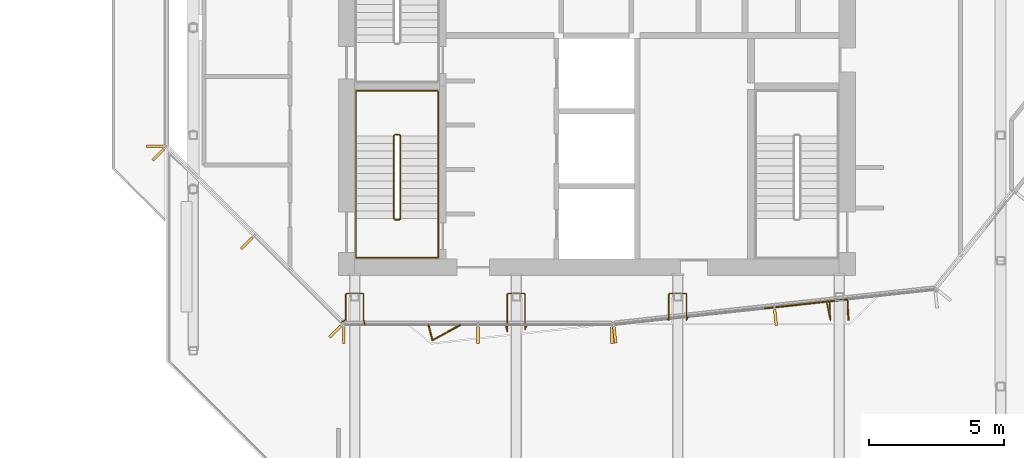
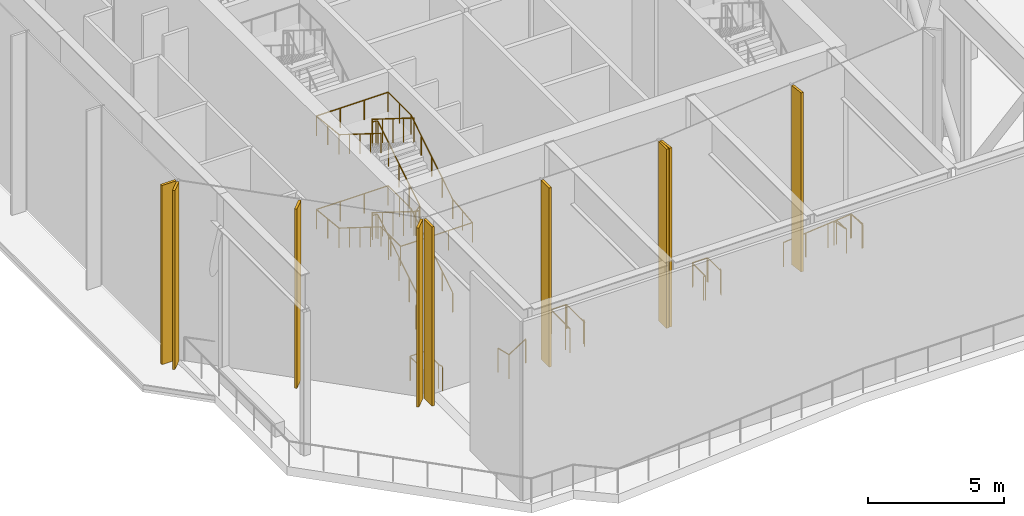
# One storey, part 16 of 22: 9 coverings, 9 railings.
"""IFC4 building model written with IfcOpenShell, lengths in metres."""

from ifc_helpers import new_model, si_unit, direction, frame, origin, origin_2d, place, context, subcontext, project, spatial, rectangle, circle, extrude, material, layer, layer_set, type_object, element, save


model = new_model("IFC4")

# Units and contexts
model_context = context("Model", 3, precision=1e-05, world=origin(), true_north=direction((0.0, 1.0)))
body_context = subcontext(model_context, "Body", "Model", "MODEL_VIEW")
ifc_project = project(units=[si_unit("LENGTHUNIT", "METRE"), si_unit("AREAUNIT", "SQUARE_METRE"), si_unit("VOLUMEUNIT", "CUBIC_METRE"), si_unit("PLANEANGLEUNIT", "RADIAN"), si_unit("MASSUNIT", "GRAM", prefix="KILO")], contexts=[model_context])

# Site, building, storey
site_placement = place(None, origin())
site = spatial("IfcSite", under=ifc_project, at=site_placement, CompositionType="ELEMENT")
building_placement = place(site_placement, origin())
building = spatial("IfcBuilding", under=site, at=building_placement, Name="Welwitschia Terrace Campus", CompositionType="ELEMENT")
storey_placement = place(building_placement, frame((0.0, 0.0, 197.0)))
storey = spatial("IfcBuildingStorey", under=building, at=storey_placement, Name="L44", CompositionType="ELEMENT", Elevation=197.0)

# Coverings
ifc_material_1 = material(Name="Bronze anodised aluminium", Category="aluminium")
ifc_layer = layer(ifc_material_1, 0.10009765625)
ifc_layer_set = layer_set([ifc_layer], Name="Bronze anodised aluminium")
covering_type = type_object("IfcCoveringType", Name="Bronze fin 100x600", PredefinedType="USERDEFINED", material=ifc_layer_set)
for number, where, z_axis, x_axis, name in (
    (1, (-1.429931640625, 9.59521484375, 0.0), (0.0, 0.0, 1.0), (0.0, -1.0, 0.0), "Fin L44.9.4"),
    (2, (-1.297607421875, 9.275146484375, 0.0), (0.0, 0.0, 1.0), (0.707106781187, -0.707106781187, 0.0), "Fin L44.10.0"),
    (3, (1.98876953125, 5.98876953125, 0.0), (0.0, 0.0, 1.0), (0.707106781187, -0.707106781187, 0.0), "Fin L44.10.1"),
    (4, (5.275146484375, 2.702392578125, 0.0), (0.0, 0.0, 1.0), (0.707106781187, -0.707106781187, 0.0), "Fin L44.10.2"),
    (5, (5.59521484375, 2.570068359375, 0.0), (0.0, 0.0, 1.0), (1.0, 0.0, 0.0), "Fin L44.11.0"),
    (6, (10.578857421875, 2.570068359375, 0.0), (0.0, 0.0, 1.0), (1.0, 0.0, 0.0), "Fin L44.11.1"),
    (7, (15.5625, 2.570068359375, 0.0), (0.0, 0.0, 1.0), (1.0, 0.0, 0.0), "Fin L44.11.2"),
    (8, (15.663818359375, 2.575439453125, 0.0), (0.0, 0.0, 1.0), (0.994056338222, 0.108866874852, 0.0), "Fin L44.12.0"),
    (9, (21.634521484375, 3.2294921875, 0.0), (0.0, 0.0, 1.0), (0.994056338222, 0.108866874852, 0.0), "Fin L44.12.1"),
):
    element("IfcCovering", number, at=place(storey_placement, frame(where, z_axis=z_axis, x_axis=x_axis)), inside=storey, type_object=covering_type, Name=name, ObjectType="FIN", PredefinedType="USERDEFINED", context=body_context, shape_type="SweptSolid", body=[
        extrude(rectangle(XDim=0.10009765625, YDim=0.60009765625, at=origin_2d()), origin(), (0.0, 0.0, 1.0), 8.050048828125),
    ])

# Railings
ifc_material_2 = material(Name="Stainless steel grade 316", Category="steel")
railing_type_1 = type_object("IfcRailingType", Name="Guard 1100", PredefinedType="GUARDRAIL", material=ifc_material_2)
railing_1_placement = place(storey_placement, frame((9.922119140625, 2.949951171875, 0.0)))
element("IfcRailing", 10, at=railing_1_placement, inside=storey, type_object=railing_type_1, Name="Guard floor edge L44.0", PredefinedType="GUARDRAIL", context=body_context, shape_type="SweptSolid", body=[
    extrude(circle(Radius=0.02392578125, at=origin_2d()), frame((0.0, 0.0, 1.076171875), z_axis=(-0.878299187972, -0.47811142677, 0.0), x_axis=(0.47811142677, -0.878299187972, 0.0)), (0.0, 0.0, 1.0), 1.177978515625),
    extrude(circle(Radius=0.02392578125, at=origin_2d()), frame((-1.03466796875, -0.563232421875, 1.076171875), z_axis=(-0.243425833788, 0.9699195139, 0.0), x_axis=(-0.9699195139, -0.243425833788, 0.0)), (0.0, 0.0, 1.0), 0.580810546875),
    extrude(circle(Radius=0.02099609375, at=origin_2d()), origin(), (0.0, 0.0, 1.0), 1.052001953125),
    extrude(circle(Radius=0.02099609375, at=origin_2d()), frame((-1.03466796875, -0.563232421875, 0.0)), (0.0, 0.0, 1.0), 1.052001953125),
    extrude(circle(Radius=0.02099609375, at=origin_2d()), frame((-1.176025390625, 0.0, 0.0)), (0.0, 0.0, 1.0), 1.052001953125),
])
railing_2_placement = place(storey_placement, frame((24.27880859375, 3.9013671875, 0.0)))
element("IfcRailing", 11, at=railing_2_placement, inside=storey, type_object=railing_type_1, Name="Guard floor edge L44.2", PredefinedType="GUARDRAIL", context=body_context, shape_type="SweptSolid", body=[
    extrude(circle(Radius=0.02392578125, at=origin_2d()), frame((0.0, 0.0, 1.076171875), z_axis=(-0.994055282806, -0.108876511359, 0.0), x_axis=(0.108876511359, -0.994055282806, 0.0)), (0.0, 0.0, 1.0), 3.067626953125),
    extrude(circle(Radius=0.02099609375, at=origin_2d()), origin(), (0.0, 0.0, 1.0), 1.052001953125),
    extrude(circle(Radius=0.02099609375, at=origin_2d()), frame((-1.016357421875, -0.111328125, 0.0)), (0.0, 0.0, 1.0), 1.052001953125),
    extrude(circle(Radius=0.02099609375, at=origin_2d()), frame((-2.032958984375, -0.22265625, 0.0)), (0.0, 0.0, 1.0), 1.052001953125),
    extrude(circle(Radius=0.02099609375, at=origin_2d()), frame((-3.04931640625, -0.333984375, 0.0)), (0.0, 0.0, 1.0), 1.052001953125),
])
railing_3_placement = place(storey_placement, frame((23.642822265625, 3.83154296875, 0.0)))
element("IfcRailing", 12, at=railing_3_placement, inside=storey, type_object=railing_type_1, Name="Guard floor edge L44.18", PredefinedType="GUARDRAIL", context=body_context, shape_type="SweptSolid", body=[
    extrude(circle(Radius=0.02392578125, at=origin_2d()), frame((0.0, 0.0, 1.076171875), z_axis=(0.038877001193, -0.999244003624, 0.0), x_axis=(0.999244003624, 0.038877001193, 0.0)), (0.0, 0.0, 1.0), 0.697021484375),
    extrude(circle(Radius=0.02392578125, at=origin_2d()), frame((0.027099609375, -0.696533203125, 1.076171875), z_axis=(-0.193424830321, 0.981115097741, 0.0), x_axis=(-0.981115097741, -0.193424830321, 0.0)), (0.0, 0.0, 1.0), 0.697998046875),
    extrude(circle(Radius=0.02099609375, at=origin_2d()), origin(), (0.0, 0.0, 1.0), 1.052001953125),
    extrude(circle(Radius=0.02099609375, at=origin_2d()), frame((0.027099609375, -0.696533203125, 0.0)), (0.0, 0.0, 1.0), 1.052001953125),
    extrude(circle(Radius=0.02099609375, at=origin_2d()), frame((-0.10791015625, -0.01171875, 0.0)), (0.0, 0.0, 1.0), 1.052001953125),
])
railing_4_placement = place(storey_placement, frame((24.30908203125, 3.904541015625, 0.0)))
element("IfcRailing", 13, at=railing_4_placement, inside=storey, type_object=railing_type_1, Name="Guard floor edge L44.19", PredefinedType="GUARDRAIL", context=body_context, shape_type="SweptSolid", body=[
    extrude(circle(Radius=0.02392578125, at=origin_2d()), frame((0.0, 0.0, 1.076171875), z_axis=(0.063955095501, -0.997952777319, 0.0), x_axis=(0.997952777319, 0.063955095501, 0.0)), (0.0, 0.0, 1.0), 0.77099609375),
    extrude(circle(Radius=0.02392578125, at=origin_2d()), frame((0.04931640625, -0.76953125, 1.076171875), z_axis=(-1.0, 0.0, 0.0), x_axis=(0.0, -1.0, 0.0)), (0.0, 0.0, 1.0), 0.0283203125),
    extrude(circle(Radius=0.02392578125, at=origin_2d()), frame((0.02099609375, -0.76953125, 1.076171875), z_axis=(-0.035227407041, 0.999379322276, 0.0), x_axis=(-0.999379322276, -0.035227407041, 0.0)), (0.0, 0.0, 1.0), 0.769287109375),
    extrude(circle(Radius=0.02099609375, at=origin_2d()), origin(), (0.0, 0.0, 1.0), 1.052001953125),
    extrude(circle(Radius=0.02099609375, at=origin_2d()), frame((0.04931640625, -0.76953125, 0.0)), (0.0, 0.0, 1.0), 1.052001953125),
    extrude(circle(Radius=0.02099609375, at=origin_2d()), frame((0.02099609375, -0.76953125, 0.0)), (0.0, 0.0, 1.0), 1.052001953125),
    extrude(circle(Radius=0.02099609375, at=origin_2d()), frame((-0.006103515625, -0.000732421875, 0.0)), (0.0, 0.0, 1.0), 1.052001953125),
])
railing_5_placement = place(storey_placement, frame((18.376953125, 3.2548828125, 0.0)))
element("IfcRailing", 14, at=railing_5_placement, inside=storey, type_object=railing_type_1, Name="Guard floor edge L44.28", PredefinedType="GUARDRAIL", context=body_context, shape_type="SweptSolid", body=[
    extrude(circle(Radius=0.02392578125, at=origin_2d()), frame((0.0, 0.0, 1.076171875), z_axis=(-0.364184783324, -0.931326711522, 0.0), x_axis=(0.931326711522, -0.364184783324, 0.0)), (0.0, 0.0, 1.0), 0.128662109375),
    extrude(circle(Radius=0.02392578125, at=origin_2d()), frame((-0.046875, -0.119873046875, 1.076171875), z_axis=(0.0, 1.0, 0.0), x_axis=(-1.0, 0.0, 0.0)), (0.0, 0.0, 1.0), 0.957275390625),
    extrude(circle(Radius=0.02392578125, at=origin_2d()), frame((-0.046875, 0.83740234375, 1.076171875), z_axis=(-0.707106781187, 0.707106781187, 0.0), x_axis=(-0.707106781187, -0.707106781187, 0.0)), (0.0, 0.0, 1.0), 0.039306640625),
    extrude(circle(Radius=0.02392578125, at=origin_2d()), frame((-0.07470703125, 0.865234375, 1.076171875), z_axis=(-1.0, 0.0, 0.0), x_axis=(0.0, -1.0, 0.0)), (0.0, 0.0, 1.0), 0.6044921875),
    extrude(circle(Radius=0.02392578125, at=origin_2d()), frame((-0.67919921875, 0.865234375, 1.076171875), z_axis=(-0.707106781187, -0.707106781187, 0.0), x_axis=(0.707106781187, -0.707106781187, 0.0)), (0.0, 0.0, 1.0), 0.039306640625),
    extrude(circle(Radius=0.02392578125, at=origin_2d()), frame((-0.70703125, 0.83740234375, 1.076171875), z_axis=(0.0, -1.0, 0.0), x_axis=(1.0, 0.0, 0.0)), (0.0, 0.0, 1.0), 0.957275390625),
    extrude(circle(Radius=0.02392578125, at=origin_2d()), frame((-0.70703125, -0.119873046875, 1.076171875), z_axis=(-0.874157276122, 0.485642931179, 0.0), x_axis=(-0.485642931179, -0.874157276122, 0.0)), (0.0, 0.0, 1.0), 0.072998046875),
    extrude(circle(Radius=0.02099609375, at=origin_2d()), origin(), (0.0, 0.0, 1.0), 1.052001953125),
    extrude(circle(Radius=0.02099609375, at=origin_2d()), frame((-0.046875, -0.119873046875, 0.0)), (0.0, 0.0, 1.0), 1.052001953125),
    extrude(circle(Radius=0.02099609375, at=origin_2d()), frame((-0.046875, 0.83740234375, 0.0)), (0.0, 0.0, 1.0), 1.052001953125),
    extrude(circle(Radius=0.02099609375, at=origin_2d()), frame((-0.07470703125, 0.865234375, 0.0)), (0.0, 0.0, 1.0), 1.052001953125),
    extrude(circle(Radius=0.02099609375, at=origin_2d()), frame((-0.67919921875, 0.865234375, 0.0)), (0.0, 0.0, 1.0), 1.052001953125),
    extrude(circle(Radius=0.02099609375, at=origin_2d()), frame((-0.70703125, 0.83740234375, 0.0)), (0.0, 0.0, 1.0), 1.052001953125),
    extrude(circle(Radius=0.02099609375, at=origin_2d()), frame((-0.70703125, -0.119873046875, 0.0)), (0.0, 0.0, 1.0), 1.052001953125),
    extrude(circle(Radius=0.02099609375, at=origin_2d()), frame((-0.770751953125, -0.08447265625, 0.0)), (0.0, 0.0, 1.0), 1.052001953125),
])
railing_6_placement = place(storey_placement, frame((12.389892578125, 2.949951171875, 0.0)))
element("IfcRailing", 15, at=railing_6_placement, inside=storey, type_object=railing_type_1, Name="Guard floor edge L44.31", PredefinedType="GUARDRAIL", context=body_context, shape_type="SweptSolid", body=[
    extrude(circle(Radius=0.02392578125, at=origin_2d()), frame((0.0, 0.0, 1.076171875), z_axis=(-0.32993049958, -0.944005225328, 0.0), x_axis=(0.944005225328, -0.32993049958, 0.0)), (0.0, 0.0, 1.0), 0.181396484375),
    extrude(circle(Radius=0.02392578125, at=origin_2d()), frame((-0.059814453125, -0.171142578125, 1.076171875), z_axis=(0.0, 1.0, 0.0), x_axis=(-1.0, 0.0, 0.0)), (0.0, 0.0, 1.0), 1.3134765625),
    extrude(circle(Radius=0.02392578125, at=origin_2d()), frame((-0.059814453125, 1.142333984375, 1.076171875), z_axis=(-0.707106781187, 0.707106781187, 0.0), x_axis=(-0.707106781187, -0.707106781187, 0.0)), (0.0, 0.0, 1.0), 0.039306640625),
    extrude(circle(Radius=0.02392578125, at=origin_2d()), frame((-0.087646484375, 1.170166015625, 1.076171875), z_axis=(-1.0, 0.0, 0.0), x_axis=(0.0, -1.0, 0.0)), (0.0, 0.0, 1.0), 0.6044921875),
    extrude(circle(Radius=0.02392578125, at=origin_2d()), frame((-0.692138671875, 1.170166015625, 1.076171875), z_axis=(-0.707106781187, -0.707106781187, 0.0), x_axis=(0.707106781187, -0.707106781187, 0.0)), (0.0, 0.0, 1.0), 0.039306640625),
    extrude(circle(Radius=0.02392578125, at=origin_2d()), frame((-0.719970703125, 1.142333984375, 1.076171875), z_axis=(0.0, -1.0, 0.0), x_axis=(1.0, 0.0, 0.0)), (0.0, 0.0, 1.0), 1.3857421875),
    extrude(circle(Radius=0.02392578125, at=origin_2d()), frame((-0.719970703125, -0.243408203125, 1.076171875), z_axis=(-0.23863754596, 0.971108707436, 0.0), x_axis=(-0.971108707436, -0.23863754596, 0.0)), (0.0, 0.0, 1.0), 0.250732421875),
    extrude(circle(Radius=0.02099609375, at=origin_2d()), origin(), (0.0, 0.0, 1.0), 1.052001953125),
    extrude(circle(Radius=0.02099609375, at=origin_2d()), frame((-0.059814453125, -0.171142578125, 0.0)), (0.0, 0.0, 1.0), 1.052001953125),
    extrude(circle(Radius=0.02099609375, at=origin_2d()), frame((-0.059814453125, 1.142333984375, 0.0)), (0.0, 0.0, 1.0), 1.052001953125),
    extrude(circle(Radius=0.02099609375, at=origin_2d()), frame((-0.087646484375, 1.170166015625, 0.0)), (0.0, 0.0, 1.0), 1.052001953125),
    extrude(circle(Radius=0.02099609375, at=origin_2d()), frame((-0.692138671875, 1.170166015625, 0.0)), (0.0, 0.0, 1.0), 1.052001953125),
    extrude(circle(Radius=0.02099609375, at=origin_2d()), frame((-0.719970703125, 1.142333984375, 0.0)), (0.0, 0.0, 1.0), 1.052001953125),
    extrude(circle(Radius=0.02099609375, at=origin_2d()), frame((-0.719970703125, -0.243408203125, 0.0)), (0.0, 0.0, 1.0), 1.052001953125),
    extrude(circle(Radius=0.02099609375, at=origin_2d()), frame((-0.77978515625, 0.0, 0.0)), (0.0, 0.0, 1.0), 1.052001953125),
])
railing_7_placement = place(storey_placement, frame((6.389892578125, 2.949951171875, 0.0)))
element("IfcRailing", 16, at=railing_7_placement, inside=storey, type_object=railing_type_1, Name="Guard floor edge L44.40", PredefinedType="GUARDRAIL", context=body_context, shape_type="SweptSolid", body=[
    extrude(circle(Radius=0.02392578125, at=origin_2d()), frame((0.0, 0.0, 1.076171875), z_axis=(-0.307552891524, 0.951530986839, 0.0), x_axis=(-0.951530986839, -0.307552891524, 0.0)), (0.0, 0.0, 1.0), 0.194580078125),
    extrude(circle(Radius=0.02392578125, at=origin_2d()), frame((-0.059814453125, 0.18505859375, 1.076171875), z_axis=(0.0, 1.0, 0.0), x_axis=(-1.0, 0.0, 0.0)), (0.0, 0.0, 1.0), 0.957275390625),
    extrude(circle(Radius=0.02392578125, at=origin_2d()), frame((-0.059814453125, 1.142333984375, 1.076171875), z_axis=(-0.707106781187, 0.707106781187, 0.0), x_axis=(-0.707106781187, -0.707106781187, 0.0)), (0.0, 0.0, 1.0), 0.039306640625),
    extrude(circle(Radius=0.02392578125, at=origin_2d()), frame((-0.087646484375, 1.170166015625, 1.076171875), z_axis=(-1.0, 0.0, 0.0), x_axis=(0.0, -1.0, 0.0)), (0.0, 0.0, 1.0), 0.6044921875),
    extrude(circle(Radius=0.02392578125, at=origin_2d()), frame((-0.692138671875, 1.170166015625, 1.076171875), z_axis=(-0.707106781187, -0.707106781187, 0.0), x_axis=(0.707106781187, -0.707106781187, 0.0)), (0.0, 0.0, 1.0), 0.039306640625),
    extrude(circle(Radius=0.02392578125, at=origin_2d()), frame((-0.719970703125, 1.142333984375, 1.076171875), z_axis=(0.0, -1.0, 0.0), x_axis=(1.0, 0.0, 0.0)), (0.0, 0.0, 1.0), 0.957275390625),
    extrude(circle(Radius=0.02392578125, at=origin_2d()), frame((-0.719970703125, 0.18505859375, 1.076171875), z_axis=(-1.0, 0.0, 0.0), x_axis=(0.0, -1.0, 0.0)), (0.0, 0.0, 1.0), 0.0283203125),
    extrude(circle(Radius=0.02392578125, at=origin_2d()), frame((-0.748291015625, 0.18505859375, 1.076171875), z_axis=(-0.853503838873, -0.521086554259, 0.0), x_axis=(0.521086554259, -0.853503838873, 0.0)), (0.0, 0.0, 1.0), 0.190185546875),
    extrude(circle(Radius=0.02099609375, at=origin_2d()), origin(), (0.0, 0.0, 1.0), 1.052001953125),
    extrude(circle(Radius=0.02099609375, at=origin_2d()), frame((-0.059814453125, 0.18505859375, 0.0)), (0.0, 0.0, 1.0), 1.052001953125),
    extrude(circle(Radius=0.02099609375, at=origin_2d()), frame((-0.059814453125, 1.142333984375, 0.0)), (0.0, 0.0, 1.0), 1.052001953125),
    extrude(circle(Radius=0.02099609375, at=origin_2d()), frame((-0.087646484375, 1.170166015625, 0.0)), (0.0, 0.0, 1.0), 1.052001953125),
    extrude(circle(Radius=0.02099609375, at=origin_2d()), frame((-0.692138671875, 1.170166015625, 0.0)), (0.0, 0.0, 1.0), 1.052001953125),
    extrude(circle(Radius=0.02099609375, at=origin_2d()), frame((-0.719970703125, 1.142333984375, 0.0)), (0.0, 0.0, 1.0), 1.052001953125),
    extrude(circle(Radius=0.02099609375, at=origin_2d()), frame((-0.719970703125, 0.18505859375, 0.0)), (0.0, 0.0, 1.0), 1.052001953125),
    extrude(circle(Radius=0.02099609375, at=origin_2d()), frame((-0.748291015625, 0.18505859375, 0.0)), (0.0, 0.0, 1.0), 1.052001953125),
    extrude(circle(Radius=0.02099609375, at=origin_2d()), frame((-0.91064453125, 0.0859375, 0.0)), (0.0, 0.0, 1.0), 1.052001953125),
])
ifc_material_3 = material(Name="Steel S355", Category="steel")
railing_type_2 = type_object("IfcRailingType", Name="Stair guard 1100", PredefinedType="GUARDRAIL", material=ifc_material_3)
railing_8_placement = place(storey_placement, frame((7.5, 6.85009765625, 0.0)))
element("IfcRailing", 17, at=railing_8_placement, inside=storey, type_object=railing_type_2, Name="L44 S1 stair guard", PredefinedType="GUARDRAIL", context=body_context, shape_type="SweptSolid", body=[
    extrude(circle(Radius=0.02392578125, at=origin_2d()), frame((0.0, 0.0, 1.076171875), z_axis=(1.0, 0.0, 0.0), x_axis=(0.0, 1.0, 0.0)), (0.0, 0.0, 1.0), 0.14990234375),
    extrude(circle(Radius=0.02392578125, at=origin_2d()), frame((0.14990234375, 0.0, 1.076171875), z_axis=(0.265155923931, 0.263862480399, 0.927399011991), x_axis=(-0.705375805398, 0.708833529934, 0.0)), (0.0, 0.0, 1.0), 0.188720703125),
    extrude(circle(Radius=0.02392578125, at=origin_2d()), frame((0.199951171875, 0.0498046875, 1.2509765625), z_axis=(0.0, 0.847998304005, 0.529998940003), x_axis=(-1.0, 0.0, 0.0)), (0.0, 0.0, 1.0), 3.632080078125),
    extrude(circle(Radius=0.02392578125, at=origin_2d()), frame((0.199951171875, 3.1298828125, 3.17626953125), z_axis=(-0.707106781187, 0.707106781187, 0.0), x_axis=(-0.707106781187, -0.707106781187, 0.0)), (0.0, 0.0, 1.0), 0.07080078125),
    extrude(circle(Radius=0.02392578125, at=origin_2d()), frame((0.14990234375, 3.179931640625, 3.17626953125), z_axis=(-1.0, 0.0, 0.0), x_axis=(0.0, -1.0, 0.0)), (0.0, 0.0, 1.0), 0.14990234375),
    extrude(circle(Radius=0.02392578125, at=origin_2d()), frame((0.0, 3.179931640625, 3.17626953125), z_axis=(-0.265383341853, -0.265383341853, 0.926899867156), x_axis=(0.707106781187, -0.707106781187, 0.0)), (0.0, 0.0, 1.0), 0.1884765625),
    extrude(circle(Radius=0.02392578125, at=origin_2d()), frame((-0.050048828125, 3.1298828125, 3.35107421875), z_axis=(0.0, -0.847998304005, 0.529998940003), x_axis=(1.0, 0.0, 0.0)), (0.0, 0.0, 1.0), 3.632080078125),
    extrude(circle(Radius=0.02392578125, at=origin_2d()), frame((-0.050048828125, 0.0498046875, 5.27587890625), z_axis=(0.970351222016, -0.241699205484, 0.0), x_axis=(0.241699205484, 0.970351222016, 0.0)), (0.0, 0.0, 1.0), 0.2060546875),
    extrude(circle(Radius=0.02392578125, at=origin_2d()), frame((0.14990234375, 0.0, 5.27587890625), z_axis=(-1.0, 0.0, 0.0), x_axis=(0.0, -1.0, 0.0)), (0.0, 0.0, 1.0), 0.14990234375),
    extrude(circle(Radius=0.02392578125, at=origin_2d()), frame((0.0, 0.0, 5.27587890625), z_axis=(0.739530593833, 0.18420542264, 0.647427882513), x_axis=(-0.241699205484, 0.970351222016, 0.0)), (0.0, 0.0, 1.0), 0.270263671875),
    extrude(circle(Radius=0.02392578125, at=origin_2d()), frame((0.199951171875, 0.0498046875, 5.451171875), z_axis=(0.0, 0.847998304005, 0.529998940003), x_axis=(-1.0, 0.0, 0.0)), (0.0, 0.0, 1.0), 3.632080078125),
    extrude(circle(Radius=0.02392578125, at=origin_2d()), frame((0.199951171875, 3.1298828125, 7.3759765625), z_axis=(-0.707106781187, 0.707106781187, 0.0), x_axis=(-0.707106781187, -0.707106781187, 0.0)), (0.0, 0.0, 1.0), 0.07080078125),
    extrude(circle(Radius=0.02392578125, at=origin_2d()), frame((0.14990234375, 3.179931640625, 7.3759765625), z_axis=(-1.0, 0.0, 0.0), x_axis=(0.0, -1.0, 0.0)), (0.0, 0.0, 1.0), 0.14990234375),
    extrude(circle(Radius=0.02392578125, at=origin_2d()), frame((0.0, 3.179931640625, 7.3759765625), z_axis=(-0.265065253269, -0.265065253269, 0.927081885822), x_axis=(0.707106781187, -0.707106781187, 0.0)), (0.0, 0.0, 1.0), 0.188720703125),
    extrude(circle(Radius=0.02392578125, at=origin_2d()), frame((-0.050048828125, 3.1298828125, 7.55126953125), z_axis=(0.0, -0.848028513186, 0.529950602248), x_axis=(1.0, 0.0, 0.0)), (0.0, 0.0, 1.0), 3.632080078125),
    extrude(circle(Radius=0.02099609375, at=origin_2d()), origin(), (0.0, 0.0, 1.0), 1.052001953125),
    extrude(circle(Radius=0.02099609375, at=origin_2d()), frame((0.14990234375, 0.0, 0.0)), (0.0, 0.0, 1.0), 1.052001953125),
    extrude(circle(Radius=0.02099609375, at=origin_2d()), frame((0.199951171875, 0.0498046875, 0.175048828125)), (0.0, 0.0, 1.0), 1.052001953125),
    extrude(circle(Radius=0.02099609375, at=origin_2d()), frame((0.199951171875, 0.81982421875, 0.65625)), (0.0, 0.0, 1.0), 1.052001953125),
    extrude(circle(Radius=0.02099609375, at=origin_2d()), frame((0.199951171875, 1.58984375, 1.1376953125)), (0.0, 0.0, 1.0), 1.052001953125),
    extrude(circle(Radius=0.02099609375, at=origin_2d()), frame((0.199951171875, 2.35986328125, 1.618896484375)), (0.0, 0.0, 1.0), 1.052001953125),
    extrude(circle(Radius=0.02099609375, at=origin_2d()), frame((0.199951171875, 3.1298828125, 2.10009765625)), (0.0, 0.0, 1.0), 1.052001953125),
    extrude(circle(Radius=0.02099609375, at=origin_2d()), frame((0.14990234375, 3.179931640625, 2.10009765625)), (0.0, 0.0, 1.0), 1.052001953125),
    extrude(circle(Radius=0.02099609375, at=origin_2d()), frame((0.0, 3.179931640625, 2.10009765625)), (0.0, 0.0, 1.0), 1.052001953125),
    extrude(circle(Radius=0.02099609375, at=origin_2d()), frame((-0.050048828125, 3.1298828125, 2.27490234375)), (0.0, 0.0, 1.0), 1.052001953125),
    extrude(circle(Radius=0.02099609375, at=origin_2d()), frame((-0.050048828125, 2.35986328125, 2.756103515625)), (0.0, 0.0, 1.0), 1.052001953125),
    extrude(circle(Radius=0.02099609375, at=origin_2d()), frame((-0.050048828125, 1.58984375, 3.2373046875)), (0.0, 0.0, 1.0), 1.052001953125),
    extrude(circle(Radius=0.02099609375, at=origin_2d()), frame((-0.050048828125, 0.81982421875, 3.71875)), (0.0, 0.0, 1.0), 1.052001953125),
    extrude(circle(Radius=0.02099609375, at=origin_2d()), frame((-0.050048828125, 0.0498046875, 4.199951171875)), (0.0, 0.0, 1.0), 1.052001953125),
    extrude(circle(Radius=0.02099609375, at=origin_2d()), frame((0.14990234375, 0.0, 4.199951171875)), (0.0, 0.0, 1.0), 1.052001953125),
    extrude(circle(Radius=0.02099609375, at=origin_2d()), frame((0.0, 0.0, 4.199951171875)), (0.0, 0.0, 1.0), 1.052001953125),
    extrude(circle(Radius=0.02099609375, at=origin_2d()), frame((0.199951171875, 0.0498046875, 4.375)), (0.0, 0.0, 1.0), 1.052001953125),
    extrude(circle(Radius=0.02099609375, at=origin_2d()), frame((0.199951171875, 0.81982421875, 4.856201171875)), (0.0, 0.0, 1.0), 1.052001953125),
    extrude(circle(Radius=0.02099609375, at=origin_2d()), frame((0.199951171875, 1.58984375, 5.33740234375)), (0.0, 0.0, 1.0), 1.052001953125),
    extrude(circle(Radius=0.02099609375, at=origin_2d()), frame((0.199951171875, 2.35986328125, 5.81884765625)), (0.0, 0.0, 1.0), 1.052001953125),
    extrude(circle(Radius=0.02099609375, at=origin_2d()), frame((0.199951171875, 3.1298828125, 6.300048828125)), (0.0, 0.0, 1.0), 1.052001953125),
    extrude(circle(Radius=0.02099609375, at=origin_2d()), frame((0.14990234375, 3.179931640625, 6.300048828125)), (0.0, 0.0, 1.0), 1.052001953125),
    extrude(circle(Radius=0.02099609375, at=origin_2d()), frame((0.0, 3.179931640625, 6.300048828125)), (0.0, 0.0, 1.0), 1.052001953125),
    extrude(circle(Radius=0.02099609375, at=origin_2d()), frame((-0.050048828125, 3.1298828125, 6.47509765625)), (0.0, 0.0, 1.0), 1.052001953125),
    extrude(circle(Radius=0.02099609375, at=origin_2d()), frame((-0.050048828125, 2.35986328125, 6.956298828125)), (0.0, 0.0, 1.0), 1.052001953125),
    extrude(circle(Radius=0.02099609375, at=origin_2d()), frame((-0.050048828125, 1.58984375, 7.4375)), (0.0, 0.0, 1.0), 1.052001953125),
    extrude(circle(Radius=0.02099609375, at=origin_2d()), frame((-0.050048828125, 0.81982421875, 7.918701171875)), (0.0, 0.0, 1.0), 1.052001953125),
    extrude(circle(Radius=0.02099609375, at=origin_2d()), frame((-0.050048828125, 0.0498046875, 8.39990234375)), (0.0, 0.0, 1.0), 1.052001953125),
])
ifc_material_4 = material(Name="Steel S355", Category="steel")
railing_type_3 = type_object("IfcRailingType", Name="Stair handrail 900", PredefinedType="HANDRAIL", material=ifc_material_4)
railing_9_placement = place(storey_placement, frame((9.10009765625, 6.89990234375, 0.175048828125)))
element("IfcRailing", 18, at=railing_9_placement, inside=storey, type_object=railing_type_3, Name="L44 S1 stair handrail", PredefinedType="HANDRAIL", context=body_context, shape_type="SweptSolid", body=[
    extrude(circle(Radius=0.02392578125, at=origin_2d()), frame((0.0, 0.0, 0.8759765625), z_axis=(0.0, 0.847998304005, 0.529998940003), x_axis=(-1.0, 0.0, 0.0)), (0.0, 0.0, 1.0), 3.632080078125),
    extrude(circle(Radius=0.02392578125, at=origin_2d()), frame((0.0, 3.080078125, 2.80078125), z_axis=(0.0, 1.0, 0.0), x_axis=(-1.0, 0.0, 0.0)), (0.0, 0.0, 1.0), 1.669921875),
    extrude(circle(Radius=0.02392578125, at=origin_2d()), frame((0.0, 4.75, 2.80078125), z_axis=(-1.0, 0.0, 0.0), x_axis=(0.0, -1.0, 0.0)), (0.0, 0.0, 1.0), 3.050048828125),
    extrude(circle(Radius=0.02392578125, at=origin_2d()), frame((-3.050048828125, 4.75, 2.80078125), z_axis=(0.0, -0.994565838508, 0.104109523446), x_axis=(1.0, 0.0, 0.0)), (0.0, 0.0, 1.0), 1.678955078125),
    extrude(circle(Radius=0.02392578125, at=origin_2d()), frame((-3.050048828125, 3.080078125, 2.9755859375), z_axis=(0.0, -0.847998304005, 0.529998940003), x_axis=(1.0, 0.0, 0.0)), (0.0, 0.0, 1.0), 3.632080078125),
    extrude(circle(Radius=0.02392578125, at=origin_2d()), frame((-3.050048828125, 0.0, 4.90087890625), z_axis=(0.0, -1.0, 0.0), x_axis=(1.0, 0.0, 0.0)), (0.0, 0.0, 1.0), 1.449951171875),
    extrude(circle(Radius=0.02392578125, at=origin_2d()), frame((-3.050048828125, -1.449951171875, 4.90087890625), z_axis=(1.0, 0.0, 0.0), x_axis=(0.0, 1.0, 0.0)), (0.0, 0.0, 1.0), 3.050048828125),
    extrude(circle(Radius=0.02392578125, at=origin_2d()), frame((0.0, -1.449951171875, 4.90087890625), z_axis=(0.0, 0.992791155251, 0.119857090136), x_axis=(-1.0, 0.0, 0.0)), (0.0, 0.0, 1.0), 1.46044921875),
    extrude(circle(Radius=0.02392578125, at=origin_2d()), frame((0.0, 0.0, 5.07568359375), z_axis=(0.0, 0.847998304005, 0.529998940003), x_axis=(-1.0, 0.0, 0.0)), (0.0, 0.0, 1.0), 3.632080078125),
    extrude(circle(Radius=0.02392578125, at=origin_2d()), frame((0.0, 3.080078125, 7.0009765625), z_axis=(0.0, 1.0, 0.0), x_axis=(-1.0, 0.0, 0.0)), (0.0, 0.0, 1.0), 1.669921875),
    extrude(circle(Radius=0.02392578125, at=origin_2d()), frame((0.0, 4.75, 7.0009765625), z_axis=(-1.0, 0.0, 0.0), x_axis=(0.0, -1.0, 0.0)), (0.0, 0.0, 1.0), 3.050048828125),
    extrude(circle(Radius=0.02392578125, at=origin_2d()), frame((-3.050048828125, 4.75, 7.0009765625), z_axis=(0.0, -0.99455077262, 0.104253348533), x_axis=(1.0, 0.0, 0.0)), (0.0, 0.0, 1.0), 1.678955078125),
    extrude(circle(Radius=0.02392578125, at=origin_2d()), frame((-3.050048828125, 3.080078125, 7.17578125), z_axis=(0.0, -0.848028513186, 0.529950602248), x_axis=(1.0, 0.0, 0.0)), (0.0, 0.0, 1.0), 3.632080078125),
    extrude(circle(Radius=0.02099609375, at=origin_2d()), origin(), (0.0, 0.0, 1.0), 0.851806640625),
    extrude(circle(Radius=0.02099609375, at=origin_2d()), frame((0.0, 0.77001953125, 0.481201171875)), (0.0, 0.0, 1.0), 0.851806640625),
    extrude(circle(Radius=0.02099609375, at=origin_2d()), frame((0.0, 1.5400390625, 0.96240234375)), (0.0, 0.0, 1.0), 0.851806640625),
    extrude(circle(Radius=0.02099609375, at=origin_2d()), frame((0.0, 2.31005859375, 1.44384765625)), (0.0, 0.0, 1.0), 0.851806640625),
    extrude(circle(Radius=0.02099609375, at=origin_2d()), frame((0.0, 3.080078125, 1.925048828125)), (0.0, 0.0, 1.0), 0.851806640625),
    extrude(circle(Radius=0.02099609375, at=origin_2d()), frame((0.0, 3.9150390625, 1.925048828125)), (0.0, 0.0, 1.0), 0.851806640625),
    extrude(circle(Radius=0.02099609375, at=origin_2d()), frame((0.0, 4.75, 1.925048828125)), (0.0, 0.0, 1.0), 0.851806640625),
    extrude(circle(Radius=0.02099609375, at=origin_2d()), frame((-1.0166015625, 4.75, 1.925048828125)), (0.0, 0.0, 1.0), 0.851806640625),
    extrude(circle(Radius=0.02099609375, at=origin_2d()), frame((-2.033447265625, 4.75, 1.925048828125)), (0.0, 0.0, 1.0), 0.851806640625),
    extrude(circle(Radius=0.02099609375, at=origin_2d()), frame((-3.050048828125, 4.75, 1.925048828125)), (0.0, 0.0, 1.0), 0.851806640625),
    extrude(circle(Radius=0.02099609375, at=origin_2d()), frame((-3.050048828125, 3.9150390625, 2.012451171875)), (0.0, 0.0, 1.0), 0.851806640625),
    extrude(circle(Radius=0.02099609375, at=origin_2d()), frame((-3.050048828125, 3.080078125, 2.099853515625)), (0.0, 0.0, 1.0), 0.851806640625),
    extrude(circle(Radius=0.02099609375, at=origin_2d()), frame((-3.050048828125, 2.31005859375, 2.5810546875)), (0.0, 0.0, 1.0), 0.851806640625),
    extrude(circle(Radius=0.02099609375, at=origin_2d()), frame((-3.050048828125, 1.5400390625, 3.0625)), (0.0, 0.0, 1.0), 0.851806640625),
    extrude(circle(Radius=0.02099609375, at=origin_2d()), frame((-3.050048828125, 0.77001953125, 3.543701171875)), (0.0, 0.0, 1.0), 0.851806640625),
    extrude(circle(Radius=0.02099609375, at=origin_2d()), frame((-3.050048828125, 0.0, 4.02490234375)), (0.0, 0.0, 1.0), 0.851806640625),
    extrude(circle(Radius=0.02099609375, at=origin_2d()), frame((-3.050048828125, -0.72509765625, 4.02490234375)), (0.0, 0.0, 1.0), 0.851806640625),
    extrude(circle(Radius=0.02099609375, at=origin_2d()), frame((-3.050048828125, -1.449951171875, 4.02490234375)), (0.0, 0.0, 1.0), 0.851806640625),
    extrude(circle(Radius=0.02099609375, at=origin_2d()), frame((-2.033447265625, -1.449951171875, 4.02490234375)), (0.0, 0.0, 1.0), 0.851806640625),
    extrude(circle(Radius=0.02099609375, at=origin_2d()), frame((-1.0166015625, -1.449951171875, 4.02490234375)), (0.0, 0.0, 1.0), 0.851806640625),
    extrude(circle(Radius=0.02099609375, at=origin_2d()), frame((0.0, -1.449951171875, 4.02490234375)), (0.0, 0.0, 1.0), 0.851806640625),
    extrude(circle(Radius=0.02099609375, at=origin_2d()), frame((0.0, -0.72509765625, 4.1123046875)), (0.0, 0.0, 1.0), 0.851806640625),
    extrude(circle(Radius=0.02099609375, at=origin_2d()), frame((0.0, 0.0, 4.199951171875)), (0.0, 0.0, 1.0), 0.851806640625),
    extrude(circle(Radius=0.02099609375, at=origin_2d()), frame((0.0, 0.77001953125, 4.68115234375)), (0.0, 0.0, 1.0), 0.851806640625),
    extrude(circle(Radius=0.02099609375, at=origin_2d()), frame((0.0, 1.5400390625, 5.16259765625)), (0.0, 0.0, 1.0), 0.851806640625),
    extrude(circle(Radius=0.02099609375, at=origin_2d()), frame((0.0, 2.31005859375, 5.643798828125)), (0.0, 0.0, 1.0), 0.851806640625),
    extrude(circle(Radius=0.02099609375, at=origin_2d()), frame((0.0, 3.080078125, 6.125)), (0.0, 0.0, 1.0), 0.851806640625),
    extrude(circle(Radius=0.02099609375, at=origin_2d()), frame((0.0, 3.9150390625, 6.125)), (0.0, 0.0, 1.0), 0.851806640625),
    extrude(circle(Radius=0.02099609375, at=origin_2d()), frame((0.0, 4.75, 6.125)), (0.0, 0.0, 1.0), 0.851806640625),
    extrude(circle(Radius=0.02099609375, at=origin_2d()), frame((-1.0166015625, 4.75, 6.125)), (0.0, 0.0, 1.0), 0.851806640625),
    extrude(circle(Radius=0.02099609375, at=origin_2d()), frame((-2.033447265625, 4.75, 6.125)), (0.0, 0.0, 1.0), 0.851806640625),
    extrude(circle(Radius=0.02099609375, at=origin_2d()), frame((-3.050048828125, 4.75, 6.125)), (0.0, 0.0, 1.0), 0.851806640625),
    extrude(circle(Radius=0.02099609375, at=origin_2d()), frame((-3.050048828125, 3.9150390625, 6.21240234375)), (0.0, 0.0, 1.0), 0.851806640625),
    extrude(circle(Radius=0.02099609375, at=origin_2d()), frame((-3.050048828125, 3.080078125, 6.300048828125)), (0.0, 0.0, 1.0), 0.851806640625),
    extrude(circle(Radius=0.02099609375, at=origin_2d()), frame((-3.050048828125, 2.31005859375, 6.78125)), (0.0, 0.0, 1.0), 0.851806640625),
    extrude(circle(Radius=0.02099609375, at=origin_2d()), frame((-3.050048828125, 1.5400390625, 7.262451171875)), (0.0, 0.0, 1.0), 0.851806640625),
    extrude(circle(Radius=0.02099609375, at=origin_2d()), frame((-3.050048828125, 0.77001953125, 7.74365234375)), (0.0, 0.0, 1.0), 0.851806640625),
    extrude(circle(Radius=0.02099609375, at=origin_2d()), frame((-3.050048828125, 0.0, 8.224853515625)), (0.0, 0.0, 1.0), 0.851806640625),
])

save(model, "model.ifc")
